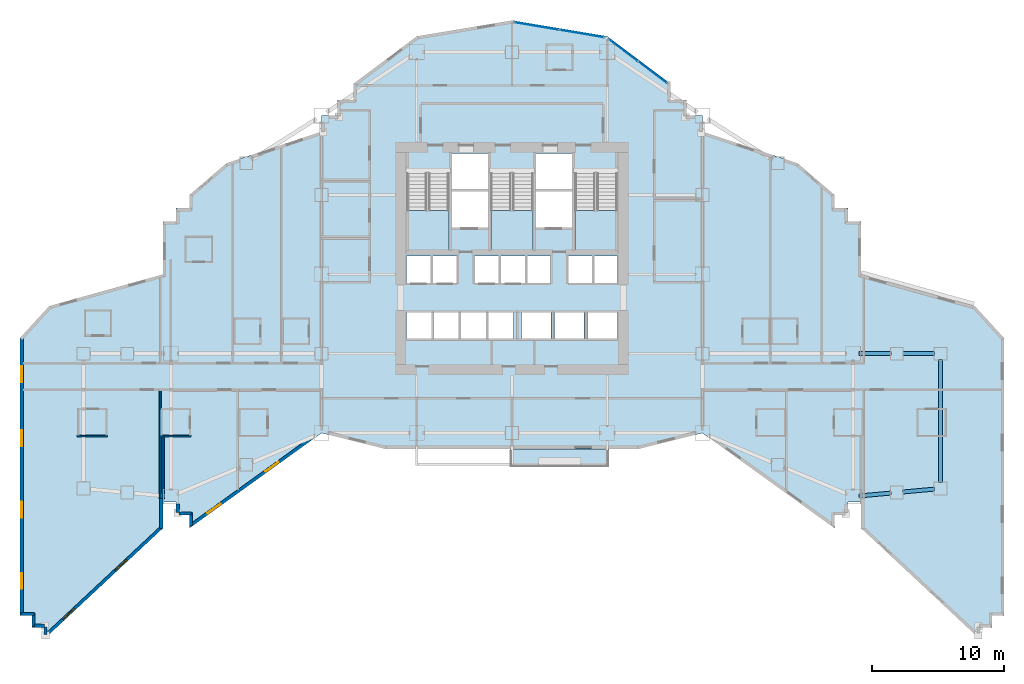
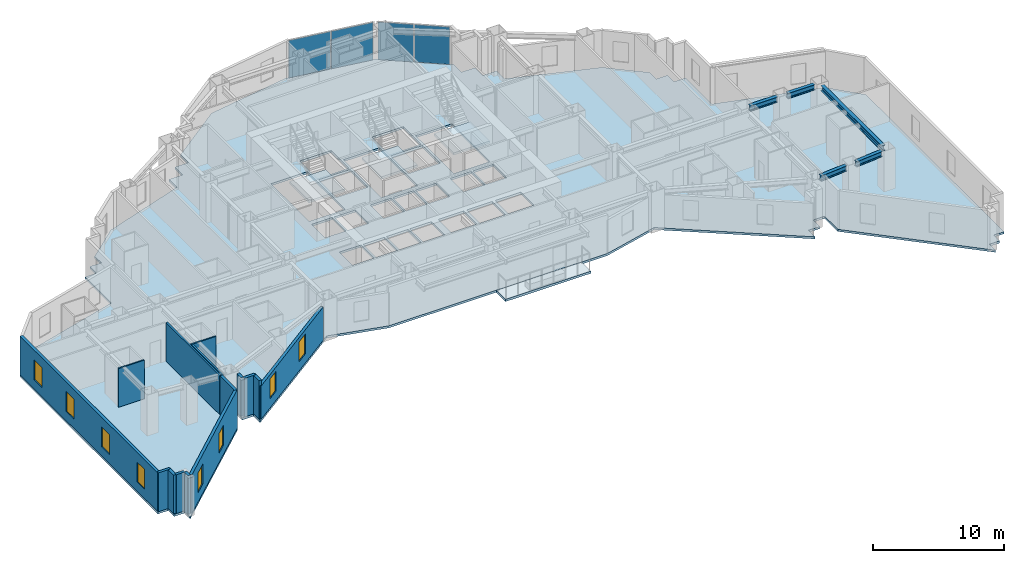
# One storey, part 6 of 15: 15 walls, 8 windows, 5 beams, 5 slabs, 4 plates, 8 openings, 5 elements without a shape of their own.
"""IFC4 building model written with IfcOpenShell, lengths in metres."""

from ifc_helpers import new_model, si_unit, direction, frame, frame_2d, origin, origin_2d, place, context, subcontext, project, spatial, polyline, rectangle, i_section, outline, extrude, material, layer, layer_set, material_profile, profile_set, type_object, element, fill, aggregate, save


model = new_model("IFC4")

# Units and contexts
model_context = context("Model", 3, precision=1e-05, world=origin(), true_north=direction((0.0, 1.0)))
body_context = subcontext(model_context, "Body", "Model", "MODEL_VIEW")
ifc_project = project(units=[si_unit("LENGTHUNIT", "METRE"), si_unit("AREAUNIT", "SQUARE_METRE"), si_unit("VOLUMEUNIT", "CUBIC_METRE"), si_unit("PLANEANGLEUNIT", "RADIAN"), si_unit("MASSUNIT", "GRAM", prefix="KILO")], contexts=[model_context])

# Site, building, storey
site_placement = place(None, origin())
site = spatial("IfcSite", under=ifc_project, at=site_placement, CompositionType="ELEMENT")
building_placement = place(site_placement, origin())
building = spatial("IfcBuilding", under=site, at=building_placement, Name="Haolan Belvedere Tower", CompositionType="ELEMENT")
storey_placement = place(building_placement, frame((0.0, 0.0, 70.39990234375)))
storey = spatial("IfcBuildingStorey", under=building, at=storey_placement, Name="L17", CompositionType="ELEMENT", Elevation=70.39990234375)

# Beams
ifc_material_1 = material(Name="Steel Q355B", Category="steel")
ifc_material_profile = material_profile(ifc_material_1, i_section(OverallWidth=0.300048828125, OverallDepth=0.488037109375, WebThickness=0.010986328125, FlangeThickness=0.01806640625, FilletRadius=0.02587890625, at=origin_2d()), Name="Steel Q355B")
ifc_profile_set = profile_set([ifc_material_profile], Name="Steel Q355B")
beam_type = type_object("IfcBeamType", Name="BM-HM488x300x11x18", PredefinedType="SPANDREL", material=ifc_profile_set)
beam_placement = place(storey_placement, frame((70.800048828125, 17.85009765625, 3.356201171875), z_axis=(0.0, 1.0, 0.0), x_axis=(-1.0, 0.0, 0.0)))
element("IfcBeam", 1, at=beam_placement, inside=storey, type_object=beam_type, Name="L17 spandrel girder MC-T5-SE-MC-T5-NE", PredefinedType="SPANDREL", context=body_context, shape_type="SweptSolid", body=[
    extrude(i_section(OverallWidth=0.300048828125, OverallDepth=0.488037109375, WebThickness=0.010986328125, FlangeThickness=0.01806640625, FilletRadius=0.02587890625, at=origin_2d()), origin(), (0.0, 0.0, 1.0), 9.2998046875),
])
for number, where, z_axis, x_axis, name in (
    (2, (64.648193359375, 16.8408203125, 3.356201171875), (0.995893206468, 0.090535746043, 0.0), (-0.090535746043, 0.995893206468, 0.0), "L17 spandrel girder MC-T4-SE-TC-T5-M1"),
    (3, (67.9482421875, 17.140625, 3.356201171875), (0.995884080761, 0.090636072764, 0.0), (-0.090636072764, 0.995884080761, 0.0), "L17 spandrel girder TC-T5-M1-MC-T5-SE"),
):
    element("IfcBeam", number, at=place(storey_placement, frame(where, z_axis=z_axis, x_axis=x_axis)), inside=storey, type_object=beam_type, Name=name, PredefinedType="SPANDREL", context=body_context, shape_type="SweptSolid", body=[
        extrude(i_section(OverallWidth=0.300048828125, OverallDepth=0.488037109375, WebThickness=0.010986328125, FlangeThickness=0.01806640625, FilletRadius=0.02587890625, at=origin_2d()), origin(), (0.0, 0.0, 1.0), 2.41357421875),
    ])
for number, where, z_axis, x_axis, name in (
    (4, (64.64990234375, 27.60009765625, 3.356201171875), (1.0, 0.0, 0.0), (0.0, 1.0, 0.0), "L17 spandrel girder MC-T4-ME-TC-T5-M2"),
    (5, (67.949951171875, 27.60009765625, 3.356201171875), (1.0, 0.0, 0.0), (0.0, 1.0, 0.0), "L17 spandrel girder TC-T5-M2-MC-T5-NE"),
):
    element("IfcBeam", number, at=place(storey_placement, frame(where, z_axis=z_axis, x_axis=x_axis)), inside=storey, type_object=beam_type, Name=name, PredefinedType="SPANDREL", context=body_context, shape_type="SweptSolid", body=[
        extrude(i_section(OverallWidth=0.300048828125, OverallDepth=0.488037109375, WebThickness=0.010986328125, FlangeThickness=0.01806640625, FilletRadius=0.02587890625, at=origin_2d()), origin(), (0.0, 0.0, 1.0), 2.400146484375),
    ])

# Curtain wall, plates
ifc_material_2 = material(Name="Anodised champagne-silver aluminium 6063-T6 and Low-E glass", Category="aluminium")
ifc_layer_1 = layer(ifc_material_2, 0.1650390625, Name="Anodised champagne-silver aluminium 6063-T6 and Low-E glass")
ifc_layer_set_1 = layer_set([ifc_layer_1], Name="Anodised champagne-silver aluminium 6063-T6 and Low-E glass")
curtain_wall_type = type_object("IfcCurtainWallType", Name="CW-SYS-02", PredefinedType="NOTDEFINED", material=ifc_layer_set_1)
curtain_wall_1_placement = place(storey_placement, origin())
curtain_wall_1 = element("IfcCurtainWall", 6, at=curtain_wall_1_placement, inside=storey, type_object=curtain_wall_type, Name="L17 CW-SYS-02 ribbon curtain wall 41.1", PredefinedType="NOTDEFINED")
ifc_material_3 = material(Name="Double silver Low-E laminated insulating glass", Category="glass")
ifc_layer_2 = layer(ifc_material_3, 0.02587890625, Name="Double silver Low-E laminated insulating glass")
ifc_layer_set_2 = layer_set([ifc_layer_2], Name="Double silver Low-E laminated insulating glass")
plate_type = type_object("IfcPlateType", Name="CW-SYS-02-PNL", PredefinedType="CURTAIN_PANEL", material=ifc_layer_set_2)
plate_1_placement = place(storey_placement, frame((49.02978515625, 48.877685546875, 0.05517578125), z_axis=(0.0, 0.0, 1.0), x_axis=(-0.800004262313, 0.599994316874, 0.0)))
plate_1 = element("IfcPlate", 7, at=plate_1_placement, type_object=plate_type, Name="CW-02 panel 1.1", PredefinedType="CURTAIN_PANEL", context=body_context, shape_type="SweptSolid", body=[
    extrude(rectangle(XDim=2.725341796875, YDim=0.02587890625, at=origin_2d()), origin(), (0.0, 0.0, 1.0), 3.489990234375),
])
plate_2_placement = place(storey_placement, frame((46.801513671875, 50.548828125, 0.05517578125), z_axis=(0.0, 0.0, 1.0), x_axis=(-0.800004262313, 0.599994316874, 0.0)))
plate_2 = element("IfcPlate", 8, at=plate_2_placement, type_object=plate_type, Name="CW-02 panel 2.1", PredefinedType="CURTAIN_PANEL", context=body_context, shape_type="SweptSolid", body=[
    extrude(rectangle(XDim=2.725341796875, YDim=0.02587890625, at=origin_2d()), origin(), (0.0, 0.0, 1.0), 3.489990234375),
])
aggregate(curtain_wall_1, [plate_1, plate_2])

curtain_wall_2_placement = place(storey_placement, origin())
curtain_wall_2 = element("IfcCurtainWall", 9, at=curtain_wall_2_placement, inside=storey, type_object=curtain_wall_type, Name="L17 CW-SYS-02 ribbon curtain wall 42.1", PredefinedType="NOTDEFINED")
plate_3_placement = place(storey_placement, frame((43.6796875, 51.79833984375, 0.05517578125), z_axis=(0.0, 0.0, 1.0), x_axis=(-0.9863931483, 0.16440364043, 0.0)))
plate_3 = element("IfcPlate", 10, at=plate_3_placement, type_object=plate_type, Name="CW-02 panel 1.1", PredefinedType="CURTAIN_PANEL", context=body_context, shape_type="SweptSolid", body=[
    extrude(rectangle(XDim=3.39501953125, YDim=0.02587890625, at=origin_2d()), origin(), (0.0, 0.0, 1.0), 3.489990234375),
])
plate_4_placement = place(storey_placement, frame((40.271728515625, 52.366455078125, 0.05517578125), z_axis=(0.0, 0.0, 1.0), x_axis=(-0.9863931483, 0.16440364043, 0.0)))
plate_4 = element("IfcPlate", 11, at=plate_4_placement, type_object=plate_type, Name="CW-02 panel 2.1", PredefinedType="CURTAIN_PANEL", context=body_context, shape_type="SweptSolid", body=[
    extrude(rectangle(XDim=3.39501953125, YDim=0.02587890625, at=origin_2d()), origin(), (0.0, 0.0, 1.0), 3.489990234375),
])
aggregate(curtain_wall_2, [plate_3, plate_4])

# Slabs
ifc_material_4 = material(Name="Concrete C40/50", Category="concrete")
ifc_layer_3 = layer(ifc_material_4, 0.2099609375, Name="Concrete C40/50")
ifc_layer_set_3 = layer_set([ifc_layer_3], Name="Concrete C40/50")
slab_type_1 = type_object("IfcSlabType", Name="SL-BAL-210", PredefinedType="FLOOR", material=ifc_layer_set_3)
slab_1_placement = place(storey_placement, frame((0.0, 0.0, -0.22998046875)))
element("IfcSlab", 12, at=slab_1_placement, inside=storey, type_object=slab_type_1, Name="L17 structural tree-planter balcony slab BAL-L17-S1", PredefinedType="FLOOR", context=body_context, shape_type="SweptSolid", body=[
    extrude(outline(polyline([(38.25, 19.02001953125), (45.75, 19.02001953125), (45.75, 20.39990234375), (38.25, 20.39990234375), (38.25, 19.02001953125)])), origin(), (0.0, 0.0, 1.0), 0.2099609375),
])
ifc_layer_4 = layer(ifc_material_4, 0.199951171875, Name="Concrete C40/50")
ifc_layer_set_4 = layer_set([ifc_layer_4], Name="Concrete C40/50")
slab_type_2 = type_object("IfcSlabType", Name="SL-FLR-200", PredefinedType="FLOOR", material=ifc_layer_set_4)
slab_2_placement = place(storey_placement, frame((0.0, 0.0, -0.199951171875)))
element("IfcSlab", 13, at=slab_2_placement, inside=storey, type_object=slab_type_2, Name="L17 structural floor slab", PredefinedType="FLOOR", context=body_context, shape_type="SweptSolid", body=[
    extrude(outline(polyline([(1.199951171875, 28.800048828125), (1.199951171875, 8.39990234375), (1.199951171875, 7.800048828125), (2.10009765625, 7.800048828125), (2.10009765625, 6.89990234375), (3.0, 6.89990234375), (3.0, 6.0), (12.0, 14.39990234375), (12.0, 16.39990234375), (13.0, 16.39990234375), (13.0, 15.39990234375), (14.0, 15.39990234375), (14.0, 14.39990234375), (24.0, 21.60009765625), (28.800048828125, 20.39990234375), (48.0, 20.39990234375), (52.800048828125, 21.60009765625), (62.800048828125, 14.39990234375), (62.800048828125, 15.39990234375), (63.800048828125, 15.39990234375), (63.800048828125, 16.39990234375), (64.800048828125, 16.39990234375), (64.800048828125, 14.39990234375), (73.800048828125, 6.0), (73.800048828125, 6.89990234375), (74.699951171875, 6.89990234375), (74.699951171875, 7.800048828125), (75.60009765625, 7.800048828125), (75.60009765625, 28.800048828125), (73.39990234375, 31.199951171875), (64.800048828125, 33.60009765625), (64.800048828125, 37.60009765625), (63.800048828125, 37.60009765625), (63.800048828125, 38.60009765625), (62.800048828125, 38.60009765625), (62.800048828125, 39.60009765625), (60.0, 42.0), (52.800048828125, 44.39990234375), (52.800048828125, 45.60009765625), (51.60009765625, 45.60009765625), (51.60009765625, 46.800048828125), (50.39990234375, 46.800048828125), (50.39990234375, 48.0), (45.60009765625, 51.60009765625), (38.39990234375, 52.800048828125), (31.199951171875, 51.60009765625), (26.39990234375, 48.0), (26.39990234375, 46.800048828125), (25.199951171875, 46.800048828125), (25.199951171875, 45.60009765625), (24.0, 45.60009765625), (24.0, 44.39990234375), (16.800048828125, 42.0), (14.0, 39.60009765625), (14.0, 38.60009765625), (13.0, 38.60009765625), (13.0, 37.60009765625), (12.0, 37.60009765625), (12.0, 33.60009765625), (3.39990234375, 31.199951171875), (1.199951171875, 28.800048828125)]), holes=[polyline([(30.449951171875, 41.22998046875), (30.449951171875, 35.449951171875), (33.6298828125, 35.449951171875), (33.6298828125, 41.22998046875), (30.449951171875, 41.22998046875)]), polyline([(36.81005859375, 41.22998046875), (36.81005859375, 35.449951171875), (39.989990234375, 35.449951171875), (39.989990234375, 41.22998046875), (36.81005859375, 41.22998046875)]), polyline([(43.169921875, 41.22998046875), (43.169921875, 35.449951171875), (46.35009765625, 35.449951171875), (46.35009765625, 41.22998046875), (43.169921875, 41.22998046875)]), polyline([(33.830078125, 40.050048828125), (36.610107421875, 40.050048828125), (36.610107421875, 42.75), (33.830078125, 42.75), (33.830078125, 40.050048828125)]), polyline([(33.830078125, 37.14990234375), (36.610107421875, 37.14990234375), (36.610107421875, 39.85009765625), (33.830078125, 39.85009765625), (33.830078125, 37.14990234375)]), polyline([(40.18994140625, 40.050048828125), (42.969970703125, 40.050048828125), (42.969970703125, 42.75), (40.18994140625, 42.75), (40.18994140625, 40.050048828125)]), polyline([(40.18994140625, 37.14990234375), (42.969970703125, 37.14990234375), (42.969970703125, 39.85009765625), (40.18994140625, 39.85009765625), (40.18994140625, 37.14990234375)]), polyline([(30.419921875, 32.949951171875), (32.27001953125, 32.949951171875), (32.27001953125, 35.0), (30.419921875, 35.0), (30.419921875, 32.949951171875)]), polyline([(32.409912109375, 32.949951171875), (34.260009765625, 32.949951171875), (34.260009765625, 35.0), (32.409912109375, 35.0), (32.409912109375, 32.949951171875)]), polyline([(35.56005859375, 32.949951171875), (37.409912109375, 32.949951171875), (37.409912109375, 35.0), (35.56005859375, 35.0), (35.56005859375, 32.949951171875)]), polyline([(37.550048828125, 32.949951171875), (39.39990234375, 32.949951171875), (39.39990234375, 35.0), (37.550048828125, 35.0), (37.550048828125, 32.949951171875)]), polyline([(39.5400390625, 32.949951171875), (41.389892578125, 32.949951171875), (41.389892578125, 35.0), (39.5400390625, 35.0), (39.5400390625, 32.949951171875)]), polyline([(42.6201171875, 32.949951171875), (44.469970703125, 32.949951171875), (44.469970703125, 35.0), (42.6201171875, 35.0), (42.6201171875, 32.949951171875)]), polyline([(44.580078125, 32.949951171875), (46.3798828125, 32.949951171875), (46.3798828125, 35.0), (44.580078125, 35.0), (44.580078125, 32.949951171875)]), polyline([(30.419921875, 28.75), (32.320068359375, 28.75), (32.320068359375, 30.75), (30.419921875, 30.75), (30.419921875, 28.75)]), polyline([(32.47998046875, 28.75), (34.3798828125, 28.75), (34.3798828125, 30.75), (32.47998046875, 30.75), (32.47998046875, 28.75)]), polyline([(34.5400390625, 28.75), (36.43994140625, 28.75), (36.43994140625, 30.75), (34.5400390625, 30.75), (34.5400390625, 28.75)]), polyline([(36.60009765625, 28.75), (38.5, 28.75), (38.5, 30.75), (36.60009765625, 30.75), (36.60009765625, 28.75)]), polyline([(39.10009765625, 28.75), (41.340087890625, 28.75), (41.340087890625, 30.75), (39.10009765625, 30.75), (39.10009765625, 28.75)]), polyline([(41.610107421875, 28.75), (43.85009765625, 28.75), (43.85009765625, 30.75), (41.610107421875, 30.75), (41.610107421875, 28.75)]), polyline([(44.1201171875, 28.75), (46.360107421875, 28.75), (46.360107421875, 30.75), (44.1201171875, 30.75), (44.1201171875, 28.75)])]), origin(), (0.0, 0.0, 1.0), 0.199951171875),
])

# Stair, slab
stair_type = type_object("IfcStairType", Name="STR-DL-22R-173", PredefinedType="HALF_TURN_STAIR", material=ifc_material_4)
stair_1_placement = place(storey_placement, origin())
stair_1 = element("IfcStair", 14, at=stair_1_placement, inside=storey, type_object=stair_type, Name="L17 Smokeproof Core Exit Stair ST1", PredefinedType="HALF_TURN_STAIR")
ifc_layer_5 = layer(ifc_material_4, 0.199951171875, Name="Concrete C40/50")
ifc_layer_set_5 = layer_set([ifc_layer_5], Name="Concrete C40/50")
slab_type_3 = type_object("IfcSlabType", Name="SL-LAND-200", PredefinedType="LANDING", material=ifc_layer_set_5)
slab_3_placement = place(storey_placement, frame((0.0, 0.0, 1.7001953125)))
slab_3 = element("IfcSlab", 15, at=slab_3_placement, type_object=slab_type_3, Name="ST1 landing 1", PredefinedType="LANDING", context=body_context, shape_type="SweptSolid", body=[
    extrude(outline(polyline([(30.449951171875, 38.429931640625), (30.449951171875, 35.449951171875), (33.6298828125, 35.449951171875), (33.6298828125, 38.429931640625), (30.449951171875, 38.429931640625)])), origin(), (0.0, 0.0, 1.0), 0.199951171875),
])
aggregate(stair_1, [slab_3])

stair_2_placement = place(storey_placement, origin())
stair_2 = element("IfcStair", 16, at=stair_2_placement, inside=storey, type_object=stair_type, Name="L17 Smokeproof Core Exit Stair ST3", PredefinedType="HALF_TURN_STAIR")
slab_4_placement = place(storey_placement, frame((0.0, 0.0, 1.7001953125)))
slab_4 = element("IfcSlab", 17, at=slab_4_placement, type_object=slab_type_3, Name="ST3 landing 1", PredefinedType="LANDING", context=body_context, shape_type="SweptSolid", body=[
    extrude(outline(polyline([(36.81005859375, 38.429931640625), (36.81005859375, 35.449951171875), (39.989990234375, 35.449951171875), (39.989990234375, 38.429931640625), (36.81005859375, 38.429931640625)])), origin(), (0.0, 0.0, 1.0), 0.199951171875),
])
aggregate(stair_2, [slab_4])

stair_3_placement = place(storey_placement, origin())
stair_3 = element("IfcStair", 18, at=stair_3_placement, inside=storey, type_object=stair_type, Name="L17 Smokeproof Core Exit Stair ST2", PredefinedType="HALF_TURN_STAIR")
slab_5_placement = place(storey_placement, frame((0.0, 0.0, 1.7001953125)))
slab_5 = element("IfcSlab", 19, at=slab_5_placement, type_object=slab_type_3, Name="ST2 landing 1", PredefinedType="LANDING", context=body_context, shape_type="SweptSolid", body=[
    extrude(outline(polyline([(43.169921875, 38.429931640625), (43.169921875, 35.449951171875), (46.35009765625, 35.449951171875), (46.35009765625, 38.429931640625), (43.169921875, 38.429931640625)])), origin(), (0.0, 0.0, 1.0), 0.199951171875),
])
aggregate(stair_3, [slab_5])

# Walls
ifc_material_5 = material(Name="Precast concrete C40/50", Category="concrete")
ifc_layer_6 = layer(ifc_material_5, 0.239990234375, Name="Precast concrete C40/50")
ifc_layer_set_6 = layer_set([ifc_layer_6], Name="Precast concrete C40/50")
wall_type_1 = type_object("IfcWallType", Name="WL-EXT-240", PredefinedType="SOLIDWALL", material=ifc_layer_set_6)
for number, where, z_axis, x_axis, name in (
    (20, (1.264892578125, 7.919921875, 0.0), (0.0, 0.0, 1.0), (1.0, 0.0, 0.0), "L17 pale-metal exterior spandrel wall 1.1"),
    (21, (2.219970703125, 7.97509765625, 0.0), (0.0, 0.0, 1.0), (0.0, -1.0, 0.0), "L17 pale-metal exterior spandrel wall 2.1"),
):
    element("IfcWall", number, at=place(storey_placement, frame(where, z_axis=z_axis, x_axis=x_axis)), inside=storey, type_object=wall_type_1, Name=name, PredefinedType="SOLIDWALL", context=body_context, shape_type="SweptSolid", body=[
        extrude(rectangle(XDim=1.010009765625, YDim=0.239990234375, at=frame_2d((0.5048828125, 0.0))), origin(), (0.0, 0.0, 1.0), 3.60009765625),
    ])
wall_1_placement = place(storey_placement, frame((2.300048828125, 7.02001953125, 0.0), z_axis=(0.0, 0.0, 1.0), x_axis=(1.0, 0.0, 0.0)))
element("IfcWall", 22, at=wall_1_placement, inside=storey, type_object=wall_type_1, Name="L17 pale-metal exterior spandrel wall 3.1", PredefinedType="SOLIDWALL", context=body_context, shape_type="SweptSolid", body=[
    extrude(rectangle(XDim=0.73486328125, YDim=0.239990234375, at=frame_2d((0.367431640625, 0.0))), origin(), (0.0, 0.0, 1.0), 3.60009765625),
])
wall_2_placement = place(storey_placement, frame((3.1201171875, 6.93505859375, 0.0), z_axis=(0.0, 0.0, 1.0), x_axis=(0.0, -1.0, 0.0)))
element("IfcWall", 23, at=wall_2_placement, inside=storey, type_object=wall_type_1, Name="L17 pale-metal exterior spandrel wall 4.1", PredefinedType="SOLIDWALL", context=body_context, shape_type="SweptSolid", body=[
    extrude(rectangle(XDim=0.573974609375, YDim=0.239990234375, at=frame_2d((0.287109375, 0.0))), origin(), (0.0, 0.0, 1.0), 3.60009765625),
])

# Wall, openings, windows
wall_3_placement = place(storey_placement, frame((3.269775390625, 6.416015625, 0.0), z_axis=(0.0, 0.0, 1.0), x_axis=(0.731064187858, 0.682308693505, 0.0)))
wall_3 = element("IfcWall", 24, at=wall_3_placement, inside=storey, type_object=wall_type_1, Name="L17 pale-metal exterior spandrel wall 5.1", PredefinedType="SOLIDWALL", context=body_context, shape_type="SweptSolid", body=[
    extrude(rectangle(XDim=11.83251953125, YDim=0.239990234375, at=frame_2d((5.916259765625, 0.0))), origin(), (0.0, 0.0, 1.0), 3.60009765625),
])
opening_1_placement = place(wall_3_placement, frame((1.60009765625, 0.0, 0.85009765625)))
opening_1 = element("IfcOpeningElement", 25, at=opening_1_placement, cuts=wall_3, Name="Opening W-01", PredefinedType="OPENING", context=body_context, shape_type="SweptSolid", body=[
    extrude(rectangle(XDim=1.199951171875, YDim=1.85009765625, at=frame_2d((0.60009765625, 0.925048828125))), frame((0.0, 0.1298828125, 0.0), z_axis=(0.0, -1.0, 0.0), x_axis=(1.0, 0.0, 0.0)), (0.0, 0.0, 1.0), 0.260009765625),
])
opening_2_placement = place(wall_3_placement, frame((7.0, 0.0, 0.85009765625)))
opening_2 = element("IfcOpeningElement", 26, at=opening_2_placement, cuts=wall_3, Name="Opening W-01", PredefinedType="OPENING", context=body_context, shape_type="SweptSolid", body=[
    extrude(rectangle(XDim=1.199951171875, YDim=1.85009765625, at=frame_2d((0.60009765625, 0.925048828125))), frame((0.0, 0.1298828125, 0.0), z_axis=(0.0, -1.0, 0.0), x_axis=(1.0, 0.0, 0.0)), (0.0, 0.0, 1.0), 0.260009765625),
])
ifc_material_6 = material(Name="Anodised aluminium 6063-T6 and Low-E glass", Category="aluminium")
window_type = type_object("IfcWindowType", Name="WN-DECO-Z1", PartitioningType="SINGLE_PANEL", PredefinedType="WINDOW", material=ifc_material_6)
window_1_placement = place(opening_1_placement, origin())
window_1 = element("IfcWindow", 27, at=window_1_placement, inside=storey, type_object=window_type, Name="L17 Art Deco chevron window 1", OverallHeight=1.85009765625, OverallWidth=1.199951171875, PartitioningType="SINGLE_PANEL", PredefinedType="WINDOW", context=body_context, shape_type="SweptSolid", body=[
    extrude(rectangle(XDim=1.199951171875, YDim=1.85009765625, at=frame_2d((0.60009765625, 0.925048828125))), frame((0.0, 0.030029296875, 0.0), z_axis=(0.0, -1.0, 0.0), x_axis=(1.0, 0.0, 0.0)), (0.0, 0.0, 1.0), 0.06005859375),
])
fill(opening_1, window_1)
window_2_placement = place(opening_2_placement, origin())
window_2 = element("IfcWindow", 28, at=window_2_placement, inside=storey, type_object=window_type, Name="L17 Art Deco chevron window 2", OverallHeight=1.85009765625, OverallWidth=1.199951171875, PartitioningType="SINGLE_PANEL", PredefinedType="WINDOW", context=body_context, shape_type="SweptSolid", body=[
    extrude(rectangle(XDim=1.199951171875, YDim=1.85009765625, at=frame_2d((0.60009765625, 0.925048828125))), frame((0.0, 0.030029296875, 0.0), z_axis=(0.0, -1.0, 0.0), x_axis=(1.0, 0.0, 0.0)), (0.0, 0.0, 1.0), 0.06005859375),
])
fill(opening_2, window_2)

# Walls
wall_4_placement = place(storey_placement, frame((11.8798828125, 14.397216796875, 0.0), z_axis=(0.0, 0.0, 1.0), x_axis=(0.0, 1.0, 0.0)))
element("IfcWall", 29, at=wall_4_placement, inside=storey, type_object=wall_type_1, Name="L17 pale-metal exterior spandrel wall 6.1", PredefinedType="SOLIDWALL", context=body_context, shape_type="SweptSolid", body=[
    extrude(rectangle(XDim=2.24267578125, YDim=0.239990234375, at=frame_2d((1.121337890625, 0.0))), origin(), (0.0, 0.0, 1.0), 3.60009765625),
])
wall_5_placement = place(storey_placement, frame((13.1201171875, 16.23291015625, 0.0), z_axis=(0.0, 0.0, 1.0), x_axis=(0.0, -1.0, 0.0)))
element("IfcWall", 30, at=wall_5_placement, inside=storey, type_object=wall_type_1, Name="L17 pale-metal exterior spandrel wall 8.1", PredefinedType="SOLIDWALL", context=body_context, shape_type="SweptSolid", body=[
    extrude(rectangle(XDim=0.6279296875, YDim=0.239990234375, at=frame_2d((0.31396484375, 0.0))), origin(), (0.0, 0.0, 1.0), 3.60009765625),
])
wall_6_placement = place(storey_placement, frame((13.205078125, 15.52001953125, 0.0), z_axis=(0.0, 0.0, 1.0), x_axis=(1.0, 0.0, 0.0)))
element("IfcWall", 31, at=wall_6_placement, inside=storey, type_object=wall_type_1, Name="L17 pale-metal exterior spandrel wall 9.1", PredefinedType="SOLIDWALL", context=body_context, shape_type="SweptSolid", body=[
    extrude(rectangle(XDim=0.969970703125, YDim=0.239990234375, at=frame_2d((0.48486328125, 0.0))), origin(), (0.0, 0.0, 1.0), 3.60009765625),
])
wall_7_placement = place(storey_placement, frame((14.1201171875, 15.574951171875, 0.0), z_axis=(0.0, 0.0, 1.0), x_axis=(0.0, -1.0, 0.0)))
element("IfcWall", 32, at=wall_7_placement, inside=storey, type_object=wall_type_1, Name="L17 pale-metal exterior spandrel wall 10.1", PredefinedType="SOLIDWALL", context=body_context, shape_type="SweptSolid", body=[
    extrude(rectangle(XDim=0.99560546875, YDim=0.239990234375, at=frame_2d((0.497802734375, 0.0))), origin(), (0.0, 0.0, 1.0), 3.60009765625),
])

# Wall, openings, windows
wall_8_placement = place(storey_placement, frame((14.075439453125, 14.602294921875, 0.0), z_axis=(0.0, 0.0, 1.0), x_axis=(0.811543176492, 0.58429245476, 0.0)))
wall_8 = element("IfcWall", 33, at=wall_8_placement, inside=storey, type_object=wall_type_1, Name="L17 pale-metal exterior spandrel wall 11.1", PredefinedType="SOLIDWALL", context=body_context, shape_type="SweptSolid", body=[
    extrude(rectangle(XDim=11.53076171875, YDim=0.239990234375, at=frame_2d((5.765380859375, 0.0))), origin(), (0.0, 0.0, 1.0), 3.09716796875),
])
opening_3_placement = place(wall_8_placement, frame((1.60009765625, 0.0, 0.85009765625)))
opening_3 = element("IfcOpeningElement", 34, at=opening_3_placement, cuts=wall_8, Name="Opening W-01", PredefinedType="OPENING", context=body_context, shape_type="SweptSolid", body=[
    extrude(rectangle(XDim=1.199951171875, YDim=1.85009765625, at=frame_2d((0.60009765625, 0.925048828125))), frame((0.0, 0.1298828125, 0.0), z_axis=(0.0, -1.0, 0.0), x_axis=(1.0, 0.0, 0.0)), (0.0, 0.0, 1.0), 0.260009765625),
])
opening_4_placement = place(wall_8_placement, frame((7.0, 0.0, 0.85009765625)))
opening_4 = element("IfcOpeningElement", 35, at=opening_4_placement, cuts=wall_8, Name="Opening W-01", PredefinedType="OPENING", context=body_context, shape_type="SweptSolid", body=[
    extrude(rectangle(XDim=1.199951171875, YDim=1.85009765625, at=frame_2d((0.60009765625, 0.925048828125))), frame((0.0, 0.1298828125, 0.0), z_axis=(0.0, -1.0, 0.0), x_axis=(1.0, 0.0, 0.0)), (0.0, 0.0, 1.0), 0.260009765625),
])
window_3_placement = place(opening_3_placement, origin())
window_3 = element("IfcWindow", 36, at=window_3_placement, inside=storey, type_object=window_type, Name="L17 Art Deco chevron window 1", OverallHeight=1.85009765625, OverallWidth=1.199951171875, PartitioningType="SINGLE_PANEL", PredefinedType="WINDOW", context=body_context, shape_type="SweptSolid", body=[
    extrude(rectangle(XDim=1.199951171875, YDim=1.85009765625, at=frame_2d((0.60009765625, 0.925048828125))), frame((0.0, 0.030029296875, 0.0), z_axis=(0.0, -1.0, 0.0), x_axis=(1.0, 0.0, 0.0)), (0.0, 0.0, 1.0), 0.06005859375),
])
fill(opening_3, window_3)
window_4_placement = place(opening_4_placement, origin())
window_4 = element("IfcWindow", 37, at=window_4_placement, inside=storey, type_object=window_type, Name="L17 Art Deco chevron window 2", OverallHeight=1.85009765625, OverallWidth=1.199951171875, PartitioningType="SINGLE_PANEL", PredefinedType="WINDOW", context=body_context, shape_type="SweptSolid", body=[
    extrude(rectangle(XDim=1.199951171875, YDim=1.85009765625, at=frame_2d((0.60009765625, 0.925048828125))), frame((0.0, 0.030029296875, 0.0), z_axis=(0.0, -1.0, 0.0), x_axis=(1.0, 0.0, 0.0)), (0.0, 0.0, 1.0), 0.06005859375),
])
fill(opening_4, window_4)

wall_9_placement = place(storey_placement, frame((1.320068359375, 28.808349609375, 0.0), z_axis=(0.0, 0.0, 1.0), x_axis=(0.0, -1.0, 0.0)))
wall_9 = element("IfcWall", 38, at=wall_9_placement, inside=storey, type_object=wall_type_1, Name="L17 pale-metal exterior spandrel wall 59.1", PredefinedType="SOLIDWALL", context=body_context, shape_type="SweptSolid", body=[
    extrude(rectangle(XDim=20.943359375, YDim=0.239990234375, at=frame_2d((10.4716796875, 0.0))), origin(), (0.0, 0.0, 1.0), 3.60009765625),
])
opening_5_placement = place(wall_9_placement, frame((2.163330078125, 0.0, 0.85009765625)))
opening_5 = element("IfcOpeningElement", 39, at=opening_5_placement, cuts=wall_9, Name="Opening W-01", PredefinedType="OPENING", context=body_context, shape_type="SweptSolid", body=[
    extrude(rectangle(XDim=1.199951171875, YDim=1.85009765625, at=frame_2d((0.60009765625, 0.925048828125))), frame((0.0, 0.1298828125, 0.0), z_axis=(0.0, -1.0, 0.0), x_axis=(1.0, 0.0, 0.0)), (0.0, 0.0, 1.0), 0.260009765625),
])
opening_6_placement = place(wall_9_placement, frame((7.0, 0.0, 0.85009765625)))
opening_6 = element("IfcOpeningElement", 40, at=opening_6_placement, cuts=wall_9, Name="Opening W-01", PredefinedType="OPENING", context=body_context, shape_type="SweptSolid", body=[
    extrude(rectangle(XDim=1.199951171875, YDim=1.85009765625, at=frame_2d((0.60009765625, 0.925048828125))), frame((0.0, 0.1298828125, 0.0), z_axis=(0.0, -1.0, 0.0), x_axis=(1.0, 0.0, 0.0)), (0.0, 0.0, 1.0), 0.260009765625),
])
opening_7_placement = place(wall_9_placement, frame((12.39990234375, 0.0, 0.85009765625)))
opening_7 = element("IfcOpeningElement", 41, at=opening_7_placement, cuts=wall_9, Name="Opening W-01", PredefinedType="OPENING", context=body_context, shape_type="SweptSolid", body=[
    extrude(rectangle(XDim=1.199951171875, YDim=1.85009765625, at=frame_2d((0.60009765625, 0.925048828125))), frame((0.0, 0.1298828125, 0.0), z_axis=(0.0, -1.0, 0.0), x_axis=(1.0, 0.0, 0.0)), (0.0, 0.0, 1.0), 0.260009765625),
])
opening_8_placement = place(wall_9_placement, frame((17.800048828125, 0.0, 0.85009765625)))
opening_8 = element("IfcOpeningElement", 42, at=opening_8_placement, cuts=wall_9, Name="Opening W-01", PredefinedType="OPENING", context=body_context, shape_type="SweptSolid", body=[
    extrude(rectangle(XDim=1.199951171875, YDim=1.85009765625, at=frame_2d((0.60009765625, 0.925048828125))), frame((0.0, 0.1298828125, 0.0), z_axis=(0.0, -1.0, 0.0), x_axis=(1.0, 0.0, 0.0)), (0.0, 0.0, 1.0), 0.260009765625),
])
window_5_placement = place(opening_5_placement, origin())
window_5 = element("IfcWindow", 43, at=window_5_placement, inside=storey, type_object=window_type, Name="L17 Art Deco chevron window 1", OverallHeight=1.85009765625, OverallWidth=1.199951171875, PartitioningType="SINGLE_PANEL", PredefinedType="WINDOW", context=body_context, shape_type="SweptSolid", body=[
    extrude(rectangle(XDim=1.199951171875, YDim=1.85009765625, at=frame_2d((0.60009765625, 0.925048828125))), frame((0.0, 0.030029296875, 0.0), z_axis=(0.0, -1.0, 0.0), x_axis=(1.0, 0.0, 0.0)), (0.0, 0.0, 1.0), 0.06005859375),
])
fill(opening_5, window_5)
window_6_placement = place(opening_6_placement, origin())
window_6 = element("IfcWindow", 44, at=window_6_placement, inside=storey, type_object=window_type, Name="L17 Art Deco chevron window 2", OverallHeight=1.85009765625, OverallWidth=1.199951171875, PartitioningType="SINGLE_PANEL", PredefinedType="WINDOW", context=body_context, shape_type="SweptSolid", body=[
    extrude(rectangle(XDim=1.199951171875, YDim=1.85009765625, at=frame_2d((0.60009765625, 0.925048828125))), frame((0.0, 0.030029296875, 0.0), z_axis=(0.0, -1.0, 0.0), x_axis=(1.0, 0.0, 0.0)), (0.0, 0.0, 1.0), 0.06005859375),
])
fill(opening_6, window_6)
window_7_placement = place(opening_7_placement, origin())
window_7 = element("IfcWindow", 45, at=window_7_placement, inside=storey, type_object=window_type, Name="L17 Art Deco chevron window 3", OverallHeight=1.85009765625, OverallWidth=1.199951171875, PartitioningType="SINGLE_PANEL", PredefinedType="WINDOW", context=body_context, shape_type="SweptSolid", body=[
    extrude(rectangle(XDim=1.199951171875, YDim=1.85009765625, at=frame_2d((0.60009765625, 0.925048828125))), frame((0.0, 0.030029296875, 0.0), z_axis=(0.0, -1.0, 0.0), x_axis=(1.0, 0.0, 0.0)), (0.0, 0.0, 1.0), 0.06005859375),
])
fill(opening_7, window_7)
window_8_placement = place(opening_8_placement, origin())
window_8 = element("IfcWindow", 46, at=window_8_placement, inside=storey, type_object=window_type, Name="L17 Art Deco chevron window 4", OverallHeight=1.85009765625, OverallWidth=1.199951171875, PartitioningType="SINGLE_PANEL", PredefinedType="WINDOW", context=body_context, shape_type="SweptSolid", body=[
    extrude(rectangle(XDim=1.199951171875, YDim=1.85009765625, at=frame_2d((0.60009765625, 0.925048828125))), frame((0.0, 0.030029296875, 0.0), z_axis=(0.0, -1.0, 0.0), x_axis=(1.0, 0.0, 0.0)), (0.0, 0.0, 1.0), 0.06005859375),
])
fill(opening_8, window_8)

# Walls
ifc_material_7 = material(Name="Double gypsum acoustic stud partition", Category="masonry")
ifc_layer_7 = layer(ifc_material_7, 0.14990234375, Name="Double gypsum acoustic stud partition")
ifc_layer_set_7 = layer_set([ifc_layer_7], Name="Double gypsum acoustic stud partition")
wall_type_2 = type_object("IfcWallType", Name="WL-PART-150", PredefinedType="PARTITIONING", material=ifc_layer_set_7)
wall_10_placement = place(storey_placement, frame((11.800048828125, 16.64208984375, 0.0), z_axis=(0.0, 0.0, 1.0), x_axis=(0.0, 1.0, 0.0)))
element("IfcWall", 47, at=wall_10_placement, inside=storey, type_object=wall_type_2, Name="L17 interior partition IW-L17-T2S1-W", PredefinedType="PARTITIONING", context=body_context, shape_type="SweptSolid", body=[
    extrude(rectangle(XDim=8.16796875, YDim=0.14990234375, at=frame_2d((4.083984375, 0.0))), origin(), (0.0, 0.0, 1.0), 3.60009765625),
])
wall_11_placement = place(storey_placement, frame((12.02001953125, 16.612060546875, 0.0), z_axis=(0.0, 0.0, 1.0), x_axis=(0.0, 1.0, 0.0)))
element("IfcWall", 48, at=wall_11_placement, inside=storey, type_object=wall_type_2, Name="L17 interior partition IW-L17-T1S1-E", PredefinedType="PARTITIONING", context=body_context, shape_type="SweptSolid", body=[
    extrude(rectangle(XDim=4.712890625, YDim=0.14990234375, at=frame_2d((2.3564453125, 0.0))), origin(), (0.0, 0.0, 1.0), 3.60009765625),
])
ifc_material_8 = material(Name="Moisture-resistant gypsum tile partition", Category="masonry")
ifc_layer_8 = layer(ifc_material_8, 0.1201171875, Name="Moisture-resistant gypsum tile partition")
ifc_layer_set_8 = layer_set([ifc_layer_8], Name="Moisture-resistant gypsum tile partition")
wall_type_3 = type_object("IfcWallType", Name="WL-WET-120", PredefinedType="PARTITIONING", material=ifc_layer_set_8)
wall_12_placement = place(storey_placement, frame((11.860107421875, 21.3701171875, 0.0), z_axis=(0.0, 0.0, 1.0), x_axis=(1.0, 0.0, 0.0)))
element("IfcWall", 49, at=wall_12_placement, inside=storey, type_object=wall_type_3, Name="L17 interior partition IW-L17-T2S1-BS", PredefinedType="PARTITIONING", context=body_context, shape_type="SweptSolid", body=[
    extrude(rectangle(XDim=2.25, YDim=0.1201171875, at=frame_2d((1.125, 0.0))), origin(), (0.0, 0.0, 1.0), 3.60009765625),
])
wall_13_placement = place(storey_placement, frame((5.5400390625, 21.3701171875, 0.0), z_axis=(0.0, 0.0, 1.0), x_axis=(1.0, 0.0, 0.0)))
element("IfcWall", 50, at=wall_13_placement, inside=storey, type_object=wall_type_3, Name="L17 interior partition IW-L17-T1S1-BS", PredefinedType="PARTITIONING", context=body_context, shape_type="SweptSolid", body=[
    extrude(rectangle(XDim=2.27001953125, YDim=0.1201171875, at=frame_2d((1.135009765625, 0.0))), origin(), (0.0, 0.0, 1.0), 3.60009765625),
])

save(model, "model.ifc")
